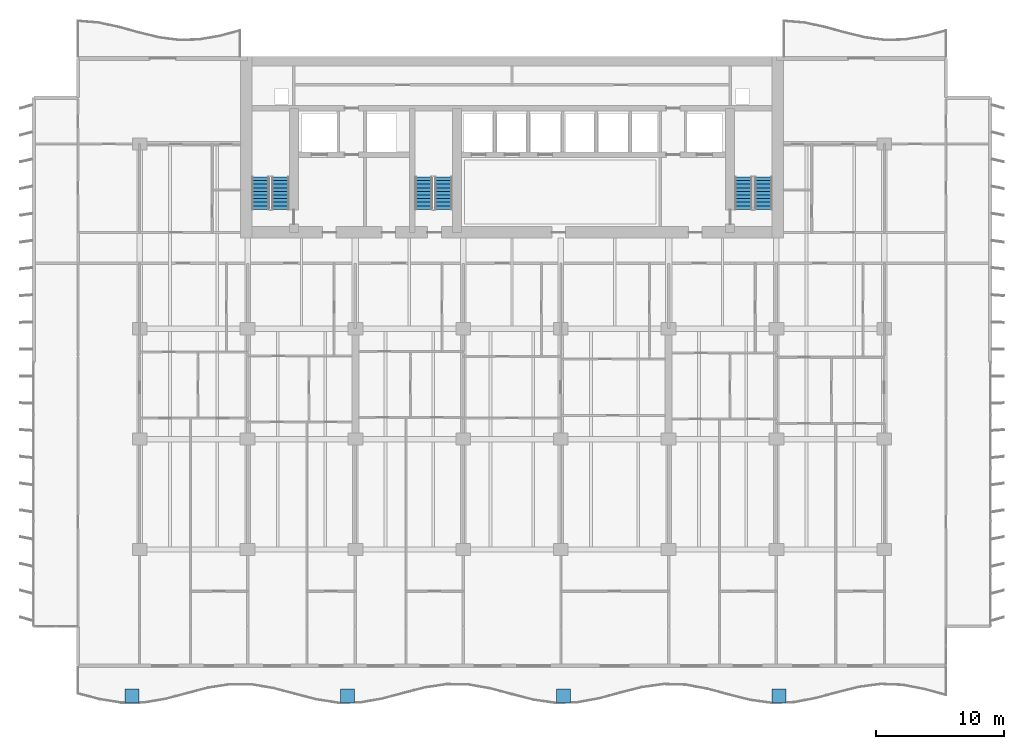
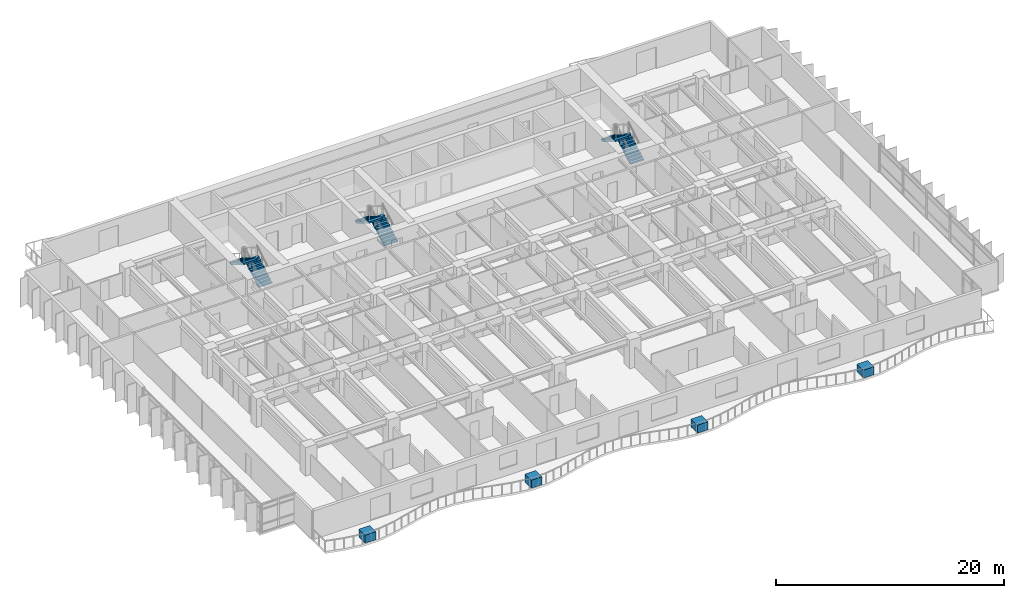
# One storey, part 13 of 17: 6 stair flights, 4 discrete accessories, 3 elements without a shape of their own.
"""IFC4 building model written with IfcOpenShell, lengths in metres."""

from ifc_helpers import new_model, si_unit, direction, frame, origin, origin_2d, place, context, subcontext, project, spatial, polyline, rectangle, outline, extrude, material, type_object, element, aggregate, save


model = new_model("IFC4")

# Units and contexts
model_context = context("Model", 3, precision=1e-05, world=origin(), true_north=direction((0.0, 1.0)))
body_context = subcontext(model_context, "Body", "Model", "MODEL_VIEW")
ifc_project = project(units=[si_unit("LENGTHUNIT", "METRE"), si_unit("AREAUNIT", "SQUARE_METRE"), si_unit("VOLUMEUNIT", "CUBIC_METRE"), si_unit("PLANEANGLEUNIT", "RADIAN"), si_unit("MASSUNIT", "GRAM", prefix="KILO")], contexts=[model_context])

# Site, building, storey
site_placement = place(None, origin())
site = spatial("IfcSite", under=ifc_project, at=site_placement, CompositionType="ELEMENT")
building_placement = place(site_placement, origin())
building = spatial("IfcBuilding", under=site, at=building_placement, Name="Caelmar Bay Residences", CompositionType="ELEMENT")
storey_placement = place(building_placement, frame((0.0, 0.0, 30.0)))
storey = spatial("IfcBuildingStorey", under=building, at=storey_placement, Name="L06", CompositionType="ELEMENT", Elevation=30.0)

# Stair, stair flights
ifc_material_1 = material(Name="Concrete f'c 40 MPa (6,000 psi)", Category="concrete")
stair_type = type_object("IfcStairType", Name="ST-TYP-165", PredefinedType="HALF_TURN_STAIR", material=ifc_material_1)
stair_1_placement = place(storey_placement, origin())
stair_1 = element("IfcStair", 1, at=stair_1_placement, inside=storey, type_object=stair_type, Name="L06 West Smokeproof Exit Stair ST1", PredefinedType="HALF_TURN_STAIR")
stair_flight_type = type_object("IfcStairFlightType", Name="STF-1350", PredefinedType="STRAIGHT", material=ifc_material_1)
stair_flight_1_placement = place(storey_placement, frame((20.875, 38.699951171875, 0.0), z_axis=(0.0, 0.0, 1.0), x_axis=(0.0, 1.0, 0.0)))
stair_flight_1 = element("IfcStairFlight", 2, at=stair_flight_1_placement, type_object=stair_flight_type, Name="ST1 flight 1", NumberOfRisers=10, NumberOfTreads=9, PredefinedType="STRAIGHT", RiserHeight=0.165, TreadLength=0.28, context=body_context, shape_type="SweptSolid", body=[
    extrude(outline(polyline([(0.0, 0.0), (0.0, 0.1650390625), (0.280029296875, 0.1650390625), (0.280029296875, 0.330078125), (0.56005859375, 0.330078125), (0.56005859375, 0.4951171875), (0.840087890625, 0.4951171875), (0.840087890625, 0.659912109375), (1.1201171875, 0.659912109375), (1.1201171875, 0.824951171875), (1.39990234375, 0.824951171875), (1.39990234375, 0.989990234375), (1.679931640625, 0.989990234375), (1.679931640625, 1.155029296875), (1.9599609375, 1.155029296875), (1.9599609375, 1.320068359375), (2.239990234375, 1.320068359375), (2.239990234375, 1.485107421875), (2.52001953125, 1.485107421875), (2.52001953125, 1.64990234375), (2.52001953125, 1.31103515625), (0.295166015625, 0.0), (0.0, 0.0)])), frame((0.0, 0.675048828125, 0.0), z_axis=(0.0, -1.0, 0.0), x_axis=(1.0, 0.0, 0.0)), (0.0, 0.0, 1.0), 1.35009765625),
])
stair_flight_2_placement = place(storey_placement, frame((19.324951171875, 41.219970703125, 1.64990234375), z_axis=(0.0, 0.0, 1.0), x_axis=(0.0, -1.0, 0.0)))
stair_flight_2 = element("IfcStairFlight", 3, at=stair_flight_2_placement, type_object=stair_flight_type, Name="ST1 flight 2", NumberOfRisers=10, NumberOfTreads=9, PredefinedType="STRAIGHT", RiserHeight=0.165, TreadLength=0.28, context=body_context, shape_type="SweptSolid", body=[
    extrude(outline(polyline([(0.0, 0.0), (0.0, 0.1650390625), (0.280029296875, 0.1650390625), (0.280029296875, 0.330078125), (0.56005859375, 0.330078125), (0.56005859375, 0.4951171875), (0.840087890625, 0.4951171875), (0.840087890625, 0.659912109375), (1.1201171875, 0.659912109375), (1.1201171875, 0.824951171875), (1.39990234375, 0.824951171875), (1.39990234375, 0.989990234375), (1.679931640625, 0.989990234375), (1.679931640625, 1.155029296875), (1.9599609375, 1.155029296875), (1.9599609375, 1.320068359375), (2.239990234375, 1.320068359375), (2.239990234375, 1.485107421875), (2.52001953125, 1.485107421875), (2.52001953125, 1.64990234375), (2.52001953125, 1.31103515625), (0.295166015625, 0.0), (0.0, 0.0)])), frame((0.0, 0.675048828125, 0.0), z_axis=(0.0, -1.0, 0.0), x_axis=(1.0, 0.0, 0.0)), (0.0, 0.0, 1.0), 1.35009765625),
])
aggregate(stair_1, [stair_flight_1, stair_flight_2])

stair_2_placement = place(storey_placement, origin())
stair_2 = element("IfcStair", 4, at=stair_2_placement, inside=storey, type_object=stair_type, Name="L06 East Smokeproof Exit Stair ST2", PredefinedType="HALF_TURN_STAIR")
stair_flight_3_placement = place(storey_placement, frame((58.47509765625, 38.699951171875, 0.0), z_axis=(0.0, 0.0, 1.0), x_axis=(0.0, 1.0, 0.0)))
stair_flight_3 = element("IfcStairFlight", 5, at=stair_flight_3_placement, type_object=stair_flight_type, Name="ST2 flight 1", NumberOfRisers=10, NumberOfTreads=9, PredefinedType="STRAIGHT", RiserHeight=0.165, TreadLength=0.28, context=body_context, shape_type="SweptSolid", body=[
    extrude(outline(polyline([(0.0, 0.0), (0.0, 0.1650390625), (0.280029296875, 0.1650390625), (0.280029296875, 0.330078125), (0.56005859375, 0.330078125), (0.56005859375, 0.4951171875), (0.840087890625, 0.4951171875), (0.840087890625, 0.659912109375), (1.1201171875, 0.659912109375), (1.1201171875, 0.824951171875), (1.39990234375, 0.824951171875), (1.39990234375, 0.989990234375), (1.679931640625, 0.989990234375), (1.679931640625, 1.155029296875), (1.9599609375, 1.155029296875), (1.9599609375, 1.320068359375), (2.239990234375, 1.320068359375), (2.239990234375, 1.485107421875), (2.52001953125, 1.485107421875), (2.52001953125, 1.64990234375), (2.52001953125, 1.31103515625), (0.295166015625, 0.0), (0.0, 0.0)])), frame((0.0, 0.675048828125, 0.0), z_axis=(0.0, -1.0, 0.0), x_axis=(1.0, 0.0, 0.0)), (0.0, 0.0, 1.0), 1.35009765625),
])
stair_flight_4_placement = place(storey_placement, frame((56.925048828125, 41.219970703125, 1.64990234375), z_axis=(0.0, 0.0, 1.0), x_axis=(0.0, -1.0, 0.0)))
stair_flight_4 = element("IfcStairFlight", 6, at=stair_flight_4_placement, type_object=stair_flight_type, Name="ST2 flight 2", NumberOfRisers=10, NumberOfTreads=9, PredefinedType="STRAIGHT", RiserHeight=0.165, TreadLength=0.28, context=body_context, shape_type="SweptSolid", body=[
    extrude(outline(polyline([(0.0, 0.0), (0.0, 0.1650390625), (0.280029296875, 0.1650390625), (0.280029296875, 0.330078125), (0.56005859375, 0.330078125), (0.56005859375, 0.4951171875), (0.840087890625, 0.4951171875), (0.840087890625, 0.659912109375), (1.1201171875, 0.659912109375), (1.1201171875, 0.824951171875), (1.39990234375, 0.824951171875), (1.39990234375, 0.989990234375), (1.679931640625, 0.989990234375), (1.679931640625, 1.155029296875), (1.9599609375, 1.155029296875), (1.9599609375, 1.320068359375), (2.239990234375, 1.320068359375), (2.239990234375, 1.485107421875), (2.52001953125, 1.485107421875), (2.52001953125, 1.64990234375), (2.52001953125, 1.31103515625), (0.295166015625, 0.0), (0.0, 0.0)])), frame((0.0, 0.675048828125, 0.0), z_axis=(0.0, -1.0, 0.0), x_axis=(1.0, 0.0, 0.0)), (0.0, 0.0, 1.0), 1.35009765625),
])
aggregate(stair_2, [stair_flight_3, stair_flight_4])

stair_3_placement = place(storey_placement, origin())
stair_3 = element("IfcStair", 7, at=stair_3_placement, inside=storey, type_object=stair_type, Name="L06 Central Smokeproof Exit Stair ST3", PredefinedType="HALF_TURN_STAIR")
stair_flight_5_placement = place(storey_placement, frame((33.574951171875, 38.699951171875, 0.0), z_axis=(0.0, 0.0, 1.0), x_axis=(0.0, 1.0, 0.0)))
stair_flight_5 = element("IfcStairFlight", 8, at=stair_flight_5_placement, type_object=stair_flight_type, Name="ST3 flight 1", NumberOfRisers=10, NumberOfTreads=9, PredefinedType="STRAIGHT", RiserHeight=0.165, TreadLength=0.28, context=body_context, shape_type="SweptSolid", body=[
    extrude(outline(polyline([(0.0, 0.0), (0.0, 0.1650390625), (0.280029296875, 0.1650390625), (0.280029296875, 0.330078125), (0.56005859375, 0.330078125), (0.56005859375, 0.4951171875), (0.840087890625, 0.4951171875), (0.840087890625, 0.659912109375), (1.1201171875, 0.659912109375), (1.1201171875, 0.824951171875), (1.39990234375, 0.824951171875), (1.39990234375, 0.989990234375), (1.679931640625, 0.989990234375), (1.679931640625, 1.155029296875), (1.9599609375, 1.155029296875), (1.9599609375, 1.320068359375), (2.239990234375, 1.320068359375), (2.239990234375, 1.485107421875), (2.52001953125, 1.485107421875), (2.52001953125, 1.64990234375), (2.52001953125, 1.31103515625), (0.295166015625, 0.0), (0.0, 0.0)])), frame((0.0, 0.675048828125, 0.0), z_axis=(0.0, -1.0, 0.0), x_axis=(1.0, 0.0, 0.0)), (0.0, 0.0, 1.0), 1.35009765625),
])
stair_flight_6_placement = place(storey_placement, frame((32.02490234375, 41.219970703125, 1.64990234375), z_axis=(0.0, 0.0, 1.0), x_axis=(0.0, -1.0, 0.0)))
stair_flight_6 = element("IfcStairFlight", 9, at=stair_flight_6_placement, type_object=stair_flight_type, Name="ST3 flight 2", NumberOfRisers=10, NumberOfTreads=9, PredefinedType="STRAIGHT", RiserHeight=0.165, TreadLength=0.28, context=body_context, shape_type="SweptSolid", body=[
    extrude(outline(polyline([(0.0, 0.0), (0.0, 0.1650390625), (0.280029296875, 0.1650390625), (0.280029296875, 0.330078125), (0.56005859375, 0.330078125), (0.56005859375, 0.4951171875), (0.840087890625, 0.4951171875), (0.840087890625, 0.659912109375), (1.1201171875, 0.659912109375), (1.1201171875, 0.824951171875), (1.39990234375, 0.824951171875), (1.39990234375, 0.989990234375), (1.679931640625, 0.989990234375), (1.679931640625, 1.155029296875), (1.9599609375, 1.155029296875), (1.9599609375, 1.320068359375), (2.239990234375, 1.320068359375), (2.239990234375, 1.485107421875), (2.52001953125, 1.485107421875), (2.52001953125, 1.64990234375), (2.52001953125, 1.31103515625), (0.295166015625, 0.0), (0.0, 0.0)])), frame((0.0, 0.675048828125, 0.0), z_axis=(0.0, -1.0, 0.0), x_axis=(1.0, 0.0, 0.0)), (0.0, 0.0, 1.0), 1.35009765625),
])
aggregate(stair_3, [stair_flight_5, stair_flight_6])

# Discrete accessories
ifc_material_2 = material(Name="Architectural bronze GRC planter trough with volcanic-lapilli substrate")
discrete_accessory_type = type_object("IfcDiscreteAccessoryType", Name="ACC-PLANTER-1100", PredefinedType="USERDEFINED", material=ifc_material_2)
for number, where, z_axis, x_axis, name in (
    (10, (9.300048828125, 0.800048828125, 0.0), (0.0, 0.0, 1.0), (1.0, 0.0, 0.0), "L06 Balcony Structural Tree Planter 1"),
    (11, (26.10009765625, 0.800048828125, 0.0), (0.0, 0.0, 1.0), (1.0, 0.0, 0.0), "L06 Balcony Structural Tree Planter 2"),
    (12, (42.89990234375, 0.800048828125, 0.0), (0.0, 0.0, 1.0), (1.0, 0.0, 0.0), "L06 Balcony Structural Tree Planter 3"),
    (13, (59.699951171875, 0.800048828125, 0.0), (0.0, 0.0, 1.0), (1.0, 0.0, 0.0), "L06 Balcony Structural Tree Planter 4"),
):
    element("IfcDiscreteAccessory", number, at=place(storey_placement, frame(where, z_axis=z_axis, x_axis=x_axis)), inside=storey, type_object=discrete_accessory_type, Name=name, ObjectType="PLANTER", PredefinedType="USERDEFINED", context=body_context, shape_type="SweptSolid", body=[
        extrude(rectangle(XDim=1.10009765625, YDim=1.10009765625, at=origin_2d()), origin(), (0.0, 0.0, 1.0), 0.85009765625),
    ])

save(model, "model.ifc")
